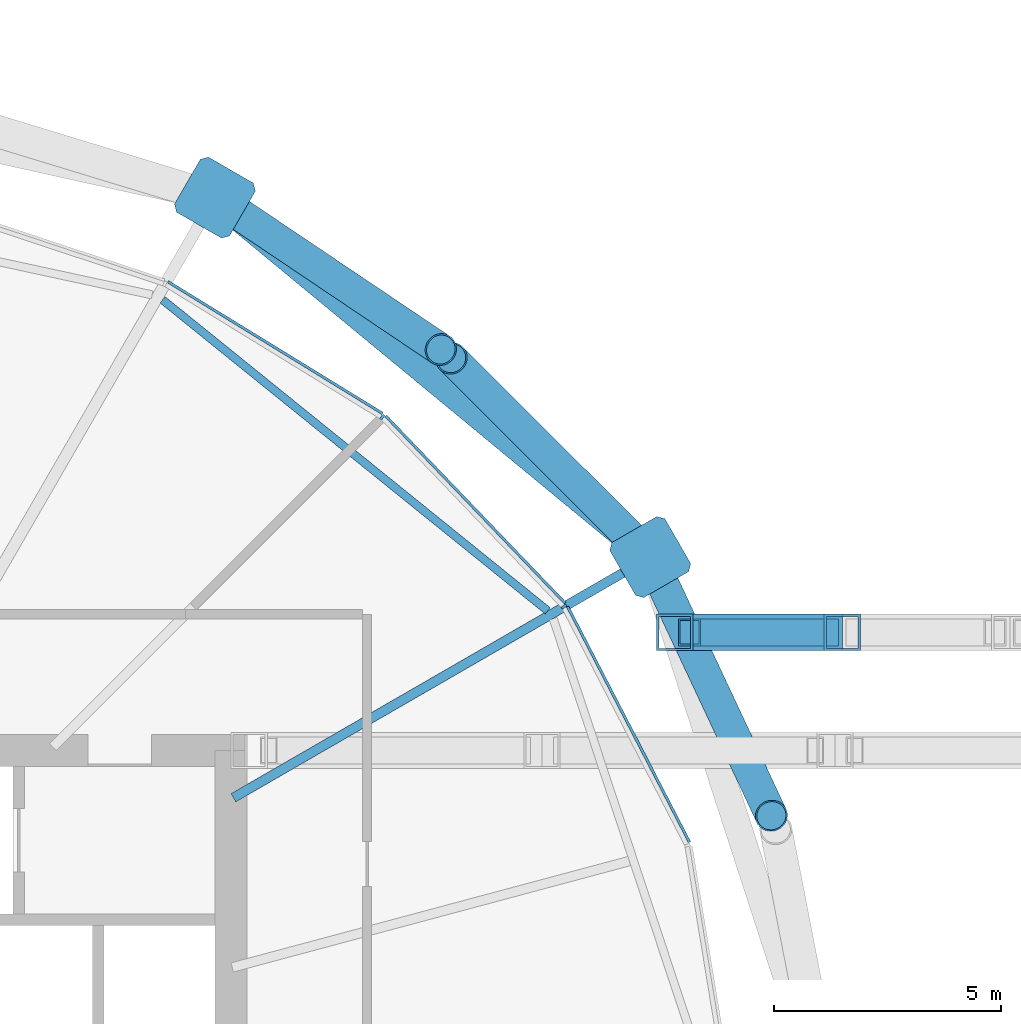
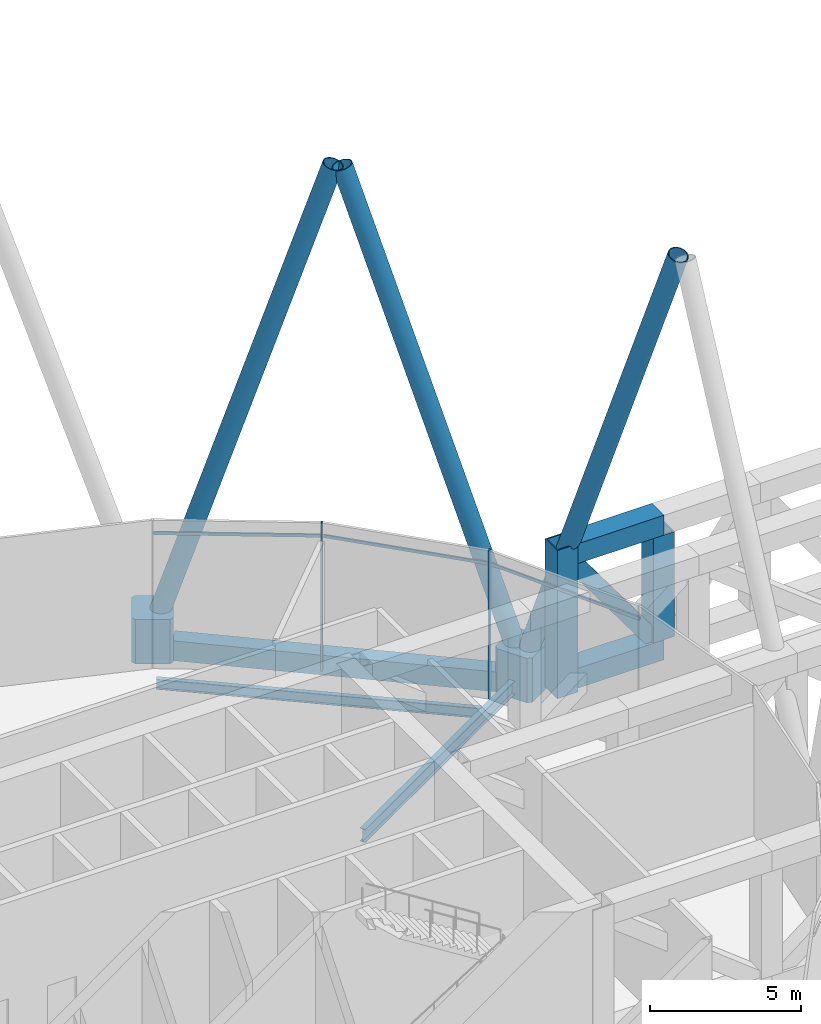
# One storey, part 16 of 39: 15 members, 3 beams, 1 element without a shape of its own.
"""IFC4 building model written with IfcOpenShell, lengths in metres."""

from ifc_helpers import new_model, si_unit, direction, frame, origin, origin_2d, place, context, subcontext, project, spatial, polyline, rectangle, hollow_rectangle, hollow_circle, i_section, outline, extrude, material, material_profile, profile_set, type_object, element, aggregate, save


model = new_model("IFC4")

# Units and contexts
model_context = context("Model", 3, precision=1e-05, world=origin(), true_north=direction((0.0, 1.0)))
body_context = subcontext(model_context, "Body", "Model", "MODEL_VIEW")
ifc_project = project(units=[si_unit("LENGTHUNIT", "METRE"), si_unit("AREAUNIT", "SQUARE_METRE"), si_unit("VOLUMEUNIT", "CUBIC_METRE"), si_unit("PLANEANGLEUNIT", "RADIAN"), si_unit("MASSUNIT", "GRAM", prefix="KILO")], contexts=[model_context])

# Site, building, storey
site_placement = place(None, origin())
site = spatial("IfcSite", under=ifc_project, at=site_placement, CompositionType="ELEMENT")
building_placement = place(site_placement, origin())
building = spatial("IfcBuilding", under=site, at=building_placement, Name="Rimbun Link Towers", CompositionType="ELEMENT")
storey_placement = place(building_placement, frame((0.0, 0.0, 127.199951171875)))
storey = spatial("IfcBuildingStorey", under=building, at=storey_placement, Name="L31", CompositionType="ELEMENT", Elevation=127.199951171875)

# Curtain wall, members
ifc_material_1 = material(Name="Aluminium 6063-T6 louvre wall", Category="aluminium")
curtain_wall_type = type_object("IfcCurtainWallType", Name="CW6 plant floor louvre wall", PredefinedType="NOTDEFINED", material=ifc_material_1)
curtain_wall_placement = place(storey_placement, origin())
curtain_wall = element("IfcCurtainWall", 1, at=curtain_wall_placement, inside=storey, type_object=curtain_wall_type, Name="CW6 L31 T1", PredefinedType="NOTDEFINED")
ifc_material_2 = material(Name="Aluminium 6063-T6", Category="aluminium")
ifc_material_profile_1 = material_profile(ifc_material_2, rectangle(XDim=0.1201171875, YDim=0.06005859375, at=origin_2d()), Name="MULLION 60X120")
ifc_profile_set_1 = profile_set([ifc_material_profile_1], Name="Aluminium 6063-T6")
member_type_1 = type_object("IfcMemberType", Name="CW6 mullion 60X120", PredefinedType="MULLION", material=ifc_profile_set_1)
member_1_placement = place(storey_placement, frame((-12.41650390625, 11.1689453125, 0.0), z_axis=(0.0, 0.0, 1.0), x_axis=(0.813344646227, 0.58178216409, 0.0)))
member_1 = element("IfcMember", 2, at=member_1_placement, type_object=member_type_1, Name="CW6 mullion", PredefinedType="MULLION", context=body_context, shape_type="SweptSolid", body=[
    extrude(rectangle(XDim=0.1201171875, YDim=0.06005859375, at=origin_2d()), origin(), (0.0, 0.0, 1.0), 6.0),
])
member_2_placement = place(storey_placement, frame((-16.417236328125, 15.341796875, 0.0), z_axis=(0.0, 0.0, 1.0), x_axis=(0.627665809068, 0.778482904197, 0.0)))
member_2 = element("IfcMember", 3, at=member_2_placement, type_object=member_type_1, Name="CW6 mullion", PredefinedType="MULLION", context=body_context, shape_type="SweptSolid", body=[
    extrude(rectangle(XDim=0.1201171875, YDim=0.06005859375, at=origin_2d()), origin(), (0.0, 0.0, 1.0), 6.0),
])
ifc_material_3 = material(Name="Aluminium 6063-T6", Category="aluminium")
ifc_material_profile_2 = material_profile(ifc_material_3, rectangle(XDim=0.06005859375, YDim=0.1201171875, at=origin_2d()), Name="TRANSOM 60X120")
ifc_profile_set_2 = profile_set([ifc_material_profile_2], Name="Aluminium 6063-T6")
member_type_2 = type_object("IfcMemberType", Name="CW6 transom 60X120", PredefinedType="USERDEFINED", material=ifc_profile_set_2)
member_3_placement = place(storey_placement, frame((-12.336181640625, 11.1669921875, 5.400146484375), z_axis=(0.459561661733, -0.888145865872, 0.0), x_axis=(0.888145865872, 0.459561661733, 0.0)))
member_3 = element("IfcMember", 4, at=member_3_placement, type_object=member_type_2, Name="CW6 transom", ObjectType="TRANSOM", PredefinedType="USERDEFINED", context=body_context, shape_type="SweptSolid", body=[
    extrude(rectangle(XDim=0.06005859375, YDim=0.1201171875, at=origin_2d()), origin(), (0.0, 0.0, 1.0), 5.840087890625),
])
member_4_placement = place(storey_placement, frame((-16.34033203125, 15.363525390625, 5.400146484375), z_axis=(0.69205685806, -0.721842992078, 0.0), x_axis=(0.721842992078, 0.69205685806, 0.0)))
member_4 = element("IfcMember", 5, at=member_4_placement, type_object=member_type_2, Name="CW6 transom", ObjectType="TRANSOM", PredefinedType="USERDEFINED", context=body_context, shape_type="SweptSolid", body=[
    extrude(rectangle(XDim=0.06005859375, YDim=0.1201171875, at=origin_2d()), origin(), (0.0, 0.0, 1.0), 5.704833984375),
])
member_5_placement = place(storey_placement, frame((-21.134033203125, 18.320556640625, 5.400146484375), z_axis=(0.85219949089, -0.523216998698, 0.0), x_axis=(0.523216998698, 0.85219949089, 0.0)))
member_5 = element("IfcMember", 6, at=member_5_placement, type_object=member_type_2, Name="CW6 transom", ObjectType="TRANSOM", PredefinedType="USERDEFINED", context=body_context, shape_type="SweptSolid", body=[
    extrude(rectangle(XDim=0.06005859375, YDim=0.1201171875, at=origin_2d()), origin(), (0.0, 0.0, 1.0), 5.54052734375),
])
aggregate(curtain_wall, [member_1, member_2, member_3, member_4, member_5])

# Members
ifc_material_4 = material(Name="Steel S460NH", Category="steel")
ifc_material_profile_3 = material_profile(ifc_material_4, hollow_circle(Radius=0.355712890625, WallThickness=0.031982421875, at=origin_2d()), Name="Diagrid diagonal CHS 711x32")
ifc_profile_set_3 = profile_set([ifc_material_profile_3], Name="Steel S460NH")
member_type_3 = type_object("IfcMemberType", Name="Diagrid diagonal CHS 711x32", PredefinedType="BRACE", material=ifc_profile_set_3)
member_6_placement = place(storey_placement, frame((-10.45068359375, 12.117431640625, 0.47509765625), z_axis=(0.13248843611, -0.282908947014, 0.949952284063), x_axis=(0.905612814409, 0.42410544724, 0.0)))
element("IfcMember", 7, at=member_6_placement, inside=storey, type_object=member_type_3, Name="Diagrid diagonal T1 L31-L35 02a", PredefinedType="BRACE", context=body_context, shape_type="SweptSolid", body=[
    extrude(hollow_circle(Radius=0.355712890625, WallThickness=0.031982421875, at=origin_2d()), origin(), (0.0, 0.0, 1.0), 19.632568359375),
])
member_7_placement = place(storey_placement, frame((-10.625732421875, 12.367919921875, 0.475830078125), z_axis=(-0.217854193558, 0.217754551826, 0.951379264809), x_axis=(-0.706945018132, -0.707268507244, 0.0)))
element("IfcMember", 8, at=member_7_placement, inside=storey, type_object=member_type_3, Name="Diagrid diagonal T1 L31-L35 02b", PredefinedType="BRACE", context=body_context, shape_type="SweptSolid", body=[
    extrude(hollow_circle(Radius=0.355712890625, WallThickness=0.031982421875, at=origin_2d()), origin(), (0.0, 0.0, 1.0), 19.6015625),
])
member_8_placement = place(storey_placement, frame((-19.978515625, 20.090576171875, 0.47705078125), z_axis=(0.248182089302, -0.166933190453, 0.954221651649), x_axis=(0.55811760718, 0.829761855327, 0.0)))
element("IfcMember", 9, at=member_8_placement, inside=storey, type_object=member_type_3, Name="Diagrid diagonal T1 L31-L35 04a", PredefinedType="BRACE", context=body_context, shape_type="SweptSolid", body=[
    extrude(hollow_circle(Radius=0.355712890625, WallThickness=0.031982421875, at=origin_2d()), origin(), (0.0, 0.0, 1.0), 19.54052734375),
])
ifc_material_5 = material(Name="Cast steel G20Mn5+QT, Rp0.2 300 MPa", Category="steel")
ifc_material_profile_4 = material_profile(ifc_material_5, outline(polyline([(0.699951171875, -0.570068359375), (0.699951171875, 0.570068359375), (0.570068359375, 0.699951171875), (-0.570068359375, 0.699951171875), (-0.699951171875, 0.570068359375), (-0.699951171875, -0.570068359375), (-0.570068359375, -0.699951171875), (0.570068359375, -0.699951171875), (0.699951171875, -0.570068359375)])), Name="NODE 1400x1400")
ifc_profile_set_4 = profile_set([ifc_material_profile_4], Name="Cast steel G20Mn5+QT, Rp0.2 300 MPa")
member_type_4 = type_object("IfcMemberType", Name="Diagrid node cast 1400", PredefinedType="USERDEFINED", material=ifc_profile_set_4)
for number, where, z_axis, x_axis, name in (
    (10, (-10.516845703125, 12.259033203125, -0.89990234375), (0.0, 0.0, 1.0), (0.866025403784, 0.5, 0.0), "Diagrid node L31 02"),
    (11, (-20.1025390625, 20.174072265625, -0.89990234375), (0.0, 0.0, 1.0), (0.5, 0.866025403784, 0.0), "Diagrid node L31 04"),
):
    element("IfcMember", number, at=place(storey_placement, frame(where, z_axis=z_axis, x_axis=x_axis)), inside=storey, type_object=member_type_4, Name=name, ObjectType="Diagrid node", PredefinedType="USERDEFINED", context=body_context, shape_type="SweptSolid", body=[
        extrude(outline(polyline([(0.699951171875, -0.570068359375), (0.699951171875, 0.570068359375), (0.570068359375, 0.699951171875), (-0.570068359375, 0.699951171875), (-0.699951171875, 0.570068359375), (-0.699951171875, -0.570068359375), (-0.570068359375, -0.699951171875), (0.570068359375, -0.699951171875), (0.699951171875, -0.570068359375)])), origin(), (0.0, 0.0, 1.0), 1.800048828125),
    ])

# Beam
ifc_material_6 = material(Name="Steel S355J2", Category="steel")
ifc_material_profile_5 = material_profile(ifc_material_6, hollow_rectangle(XDim=0.60009765625, YDim=0.800048828125, WallThickness=0.0400390625, at=origin_2d()), Name="Exoskeleton ring girder BOX 600x800x40")
ifc_profile_set_5 = profile_set([ifc_material_profile_5], Name="Steel S355J2")
beam_type_1 = type_object("IfcBeamType", Name="Exoskeleton ring girder BOX 600x800x40", PredefinedType="BEAM", material=ifc_profile_set_5)
beam_1_placement = place(storey_placement, frame((-11.056640625, 12.70458984375, -0.56005859375), z_axis=(-0.77108883163, 0.636727582044, 0.0), x_axis=(-0.636727582044, -0.77108883163, 0.0)))
element("IfcBeam", 12, at=beam_1_placement, inside=storey, type_object=beam_type_1, Name="Exoskeleton ring girder L31 01", PredefinedType="BEAM", context=body_context, shape_type="SweptSolid", body=[
    extrude(hollow_rectangle(XDim=0.60009765625, YDim=0.800048828125, WallThickness=0.0400390625, at=origin_2d()), origin(), (0.0, 0.0, 1.0), 11.03125),
])

# Members
ifc_material_7 = material(Name="Steel S460N", Category="steel")
ifc_material_profile_6 = material_profile(ifc_material_7, hollow_rectangle(XDim=0.800048828125, YDim=0.800048828125, WallThickness=0.050048828125, at=origin_2d()), Name="Link transfer truss chord BOX 800x800x50")
ifc_profile_set_6 = profile_set([ifc_material_profile_6], Name="Steel S460N")
member_type_5 = type_object("IfcMemberType", Name="Link transfer truss chord BOX 800x800x50", PredefinedType="CHORD", material=ifc_profile_set_6)
for number, where, z_axis, x_axis, name in (
    (13, (-9.577880859375, 10.60009765625, 0.400146484375), (1.0, 0.0, 0.0), (0.0, 1.0, 0.0), "Link face truss chord N bottom 00"),
    (14, (-9.577880859375, 10.60009765625, 5.43994140625), (1.0, 0.0, 0.0), (0.0, 1.0, 0.0), "Link face truss chord N top 00"),
):
    element("IfcMember", number, at=place(storey_placement, frame(where, z_axis=z_axis, x_axis=x_axis)), inside=storey, type_object=member_type_5, Name=name, PredefinedType="CHORD", context=body_context, shape_type="SweptSolid", body=[
        extrude(hollow_rectangle(XDim=0.800048828125, YDim=0.800048828125, WallThickness=0.050048828125, at=origin_2d()), origin(), (0.0, 0.0, 1.0), 3.289794921875),
    ])
ifc_material_8 = material(Name="Steel S460N", Category="steel")
ifc_material_profile_7 = material_profile(ifc_material_8, hollow_rectangle(XDim=0.60009765625, YDim=0.60009765625, WallThickness=0.0400390625, at=origin_2d()), Name="Link transfer truss diagonal BOX 600x600x40")
ifc_profile_set_7 = profile_set([ifc_material_profile_7], Name="Steel S460N")
member_type_6 = type_object("IfcMemberType", Name="Link transfer truss diagonal BOX 600x600x40", PredefinedType="BRACE", material=ifc_profile_set_7)
member_9_placement = place(storey_placement, frame((-9.653076171875, 10.60009765625, 4.996337890625), z_axis=(0.590707414581, 0.0, -0.806885834774), x_axis=(0.0, 1.0, 0.0)))
element("IfcMember", 15, at=member_9_placement, inside=storey, type_object=member_type_6, Name="Link face truss diagonal N 00", PredefinedType="BRACE", context=body_context, shape_type="SweptSolid", body=[
    extrude(hollow_rectangle(XDim=0.60009765625, YDim=0.60009765625, WallThickness=0.0400390625, at=origin_2d()), origin(), (0.0, 0.0, 1.0), 5.146484375),
])
ifc_material_9 = material(Name="Steel S460N", Category="steel")
ifc_material_profile_8 = material_profile(ifc_material_9, hollow_rectangle(XDim=0.800048828125, YDim=0.800048828125, WallThickness=0.050048828125, at=origin_2d()), Name="Link transfer truss post BOX 800x800x50")
ifc_profile_set_8 = profile_set([ifc_material_profile_8], Name="Steel S460N")
member_type_7 = type_object("IfcMemberType", Name="Link transfer truss post BOX 800x800x50", PredefinedType="POST", material=ifc_profile_set_8)
member_10_placement = place(storey_placement, frame((-9.97802734375, 10.60009765625, -0.159912109375), z_axis=(0.0, 0.0, 1.0), x_axis=(1.0, 0.0, 0.0)))
element("IfcMember", 16, at=member_10_placement, inside=storey, type_object=member_type_7, Name="Link face truss post N-00", PredefinedType="POST", context=body_context, shape_type="SweptSolid", body=[
    extrude(hollow_rectangle(XDim=0.800048828125, YDim=0.800048828125, WallThickness=0.050048828125, at=origin_2d()), origin(), (0.0, 0.0, 1.0), 6.0),
])
member_11_placement = place(storey_placement, frame((-6.2880859375, 10.60009765625, 0.800048828125), z_axis=(0.0, 0.0, 1.0), x_axis=(1.0, 0.0, 0.0)))
element("IfcMember", 17, at=member_11_placement, inside=storey, type_object=member_type_7, Name="Link face truss post N-01", PredefinedType="POST", context=body_context, shape_type="SweptSolid", body=[
    extrude(hollow_rectangle(XDim=0.800048828125, YDim=0.800048828125, WallThickness=0.050048828125, at=origin_2d()), origin(), (0.0, 0.0, 1.0), 4.239990234375),
])

# Beams
ifc_material_10 = material(Name="Steel S355J2", Category="steel")
ifc_material_profile_9 = material_profile(ifc_material_10, i_section(OverallWidth=0.177978515625, OverallDepth=0.406494140625, WebThickness=0.0078125, FlangeThickness=0.0126953125, at=origin_2d()), Name="UB 406x178x60")
ifc_profile_set_9 = profile_set([ifc_material_profile_9], Name="Steel S355J2")
beam_type_2 = type_object("IfcBeamType", Name="UB 406x178x60", PredefinedType="BEAM", material=ifc_profile_set_9)
beam_2_placement = place(storey_placement, frame((-12.7763671875, 11.076416015625, -0.383056640625), z_axis=(-0.777984140166, 0.628283914843, 0.0), x_axis=(-0.628283914843, -0.777984140166, 0.0)))
element("IfcBeam", 18, at=beam_2_placement, inside=storey, type_object=beam_type_2, Name="Edge beam T1 L31 02-04", PredefinedType="BEAM", context=body_context, shape_type="SweptSolid", body=[
    extrude(i_section(OverallWidth=0.177978515625, OverallDepth=0.406494140625, WebThickness=0.0078125, FlangeThickness=0.0126953125, at=origin_2d()), origin(), (0.0, 0.0, 1.0), 10.8974609375),
])
ifc_material_11 = material(Name="Steel S355J2", Category="steel")
ifc_material_profile_10 = material_profile(ifc_material_11, i_section(OverallWidth=0.209228515625, OverallDepth=0.533203125, WebThickness=0.010009765625, FlangeThickness=0.015625, at=origin_2d()), Name="UB 533x210x92")
ifc_profile_set_10 = profile_set([ifc_material_profile_10], Name="Steel S355J2")
beam_type_3 = type_object("IfcBeamType", Name="UB 533x210x92", PredefinedType="BEAM", material=ifc_profile_set_10)
beam_3_placement = place(storey_placement, frame((-19.69677734375, 6.958984375, -0.446533203125), z_axis=(0.866022557752, 0.500004929441, 0.0), x_axis=(-0.500004929441, 0.866022557752, 0.0)))
element("IfcBeam", 19, at=beam_3_placement, inside=storey, type_object=beam_type_3, Name="Radial beam T1 L31 02", PredefinedType="BEAM", context=body_context, shape_type="SweptSolid", body=[
    extrude(i_section(OverallWidth=0.209228515625, OverallDepth=0.533203125, WebThickness=0.010009765625, FlangeThickness=0.015625, at=origin_2d()), origin(), (0.0, 0.0, 1.0), 10.10009765625),
])

save(model, "model.ifc")
